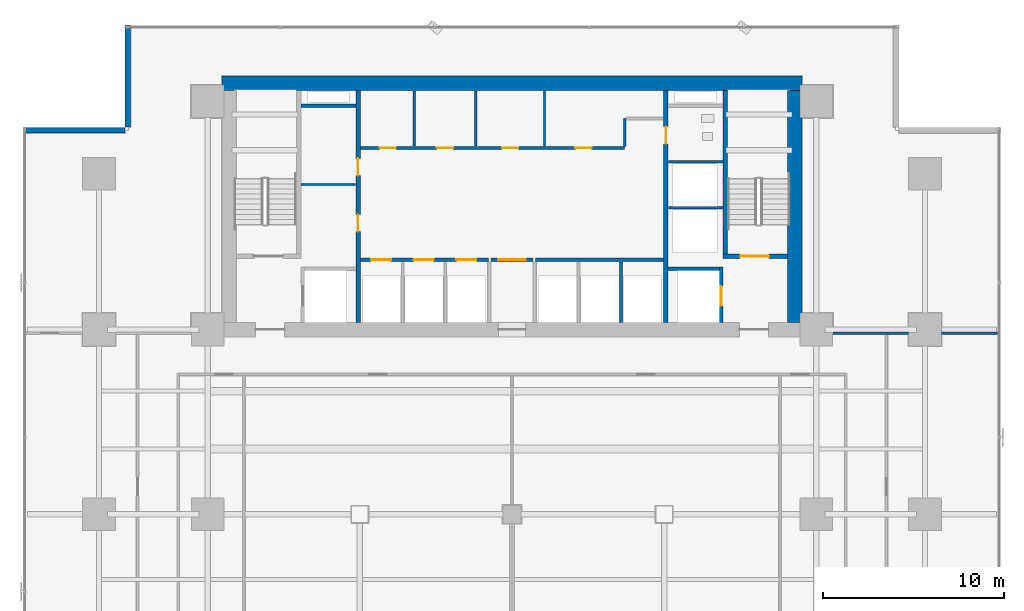
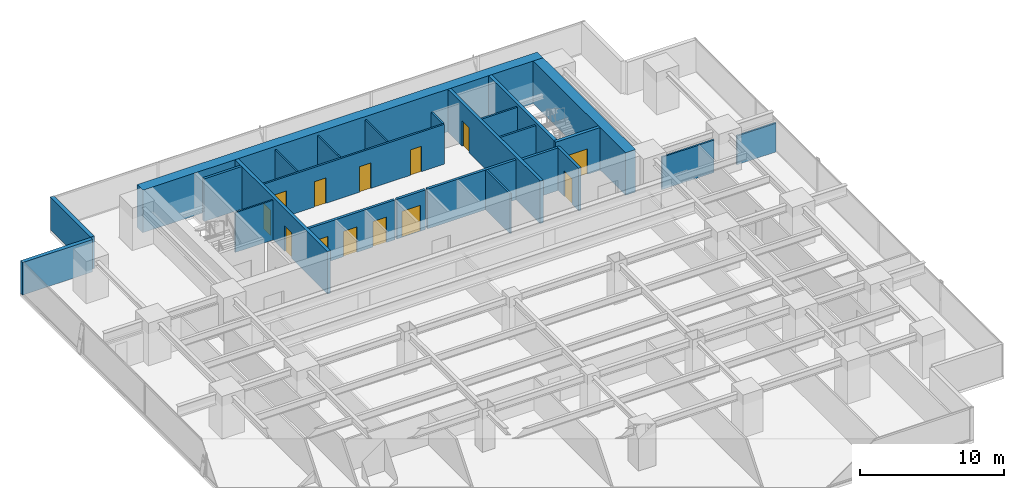
# One storey, part 26 of 33: 25 walls, 13 doors, 13 openings.
"""IFC4 building model written with IfcOpenShell, lengths in metres."""

from ifc_helpers import new_model, si_unit, direction, frame, frame_2d, origin, place, context, subcontext, project, spatial, rectangle, extrude, source, transform, mapped, material, layer, layer_set, type_object, element, fill, save


model = new_model("IFC4")

# Units and contexts
model_context = context("Model", 3, precision=1e-05, world=origin(), true_north=direction((0.0, 1.0)))
body_context = subcontext(model_context, "Body", "Model", "MODEL_VIEW")
ifc_project = project(units=[si_unit("LENGTHUNIT", "METRE"), si_unit("AREAUNIT", "SQUARE_METRE"), si_unit("VOLUMEUNIT", "CUBIC_METRE"), si_unit("PLANEANGLEUNIT", "RADIAN"), si_unit("MASSUNIT", "GRAM", prefix="KILO")], contexts=[model_context])

# Site, building, storey
site_placement = place(None, origin())
site = spatial("IfcSite", under=ifc_project, at=site_placement, CompositionType="ELEMENT")
building_placement = place(site_placement, origin())
building = spatial("IfcBuilding", under=site, at=building_placement, Name="Sumidabori Civic Tower", CompositionType="ELEMENT")
storey_placement = place(building_placement, frame((0.0, 0.0, 38.0)))
storey = spatial("IfcBuildingStorey", under=building, at=storey_placement, Name="L09", CompositionType="ELEMENT", Elevation=38.0)

# Walls
ifc_material_1 = material(Name="Concrete C60/75", Category="concrete")
ifc_layer_1 = layer(ifc_material_1, 0.800048828125, Name="Concrete C60/75")
ifc_layer_set_1 = layer_set([ifc_layer_1], Name="Concrete C60/75")
wall_type_1 = type_object("IfcWallType", Name="WL-CORE-800", PredefinedType="SHEAR", material=ifc_layer_set_1)
shared_shape_1 = source(origin(), body_context, "Body", "SweptSolid", [
    extrude(rectangle(XDim=32.0, YDim=0.800048828125, at=frame_2d((16.0, 0.0))), origin(), (0.0, 0.0, 1.0), 3.60009765625),
])
wall_1_placement = place(storey_placement, frame((-16.0, 23.800048828125, 0.0), z_axis=(0.0, 0.0, 1.0), x_axis=(1.0, 0.0, 0.0)))
element("IfcWall", 1, at=wall_1_placement, inside=storey, type_object=wall_type_1, Name="Core Shear Wall L09 N", PredefinedType="SHEAR", context=body_context, shape_type="MappedRepresentation", body=[
    mapped(shared_shape_1, transform((0.0, 0.0, 0.0), x_axis=(1.0, 0.0, 0.0), y_axis=(0.0, 1.0, 0.0), z_axis=(0.0, 0.0, 1.0), scale=1.0)),
])
shared_shape_2 = source(origin(), body_context, "Body", "SweptSolid", [
    extrude(rectangle(XDim=12.7998046875, YDim=0.800048828125, at=frame_2d((6.39990234375, 0.0))), origin(), (0.0, 0.0, 1.0), 3.60009765625),
])
wall_2_placement = place(storey_placement, frame((15.60009765625, 10.60009765625, 0.0), z_axis=(0.0, 0.0, 1.0), x_axis=(0.0, 1.0, 0.0)))
element("IfcWall", 2, at=wall_2_placement, inside=storey, type_object=wall_type_1, Name="Core Shear Wall L09 E", PredefinedType="SHEAR", context=body_context, shape_type="MappedRepresentation", body=[
    mapped(shared_shape_2, transform((0.0, 0.0, 0.0), x_axis=(1.0, 0.0, 0.0), y_axis=(0.0, 1.0, 0.0), z_axis=(0.0, 0.0, 1.0), scale=1.0)),
])

# Wall, openings, doors
ifc_material_2 = material(Name="Concrete C50/60", Category="concrete")
ifc_layer_2 = layer(ifc_material_2, 0.25, Name="Concrete C50/60")
ifc_layer_set_2 = layer_set([ifc_layer_2], Name="Concrete C50/60")
wall_type_2 = type_object("IfcWallType", Name="WL-SHAFT-250", PredefinedType="SHEAR", material=ifc_layer_set_2)
shared_shape_3 = source(origin(), body_context, "Body", "SweptSolid", [
    extrude(rectangle(XDim=12.7998046875, YDim=0.25, at=frame_2d((6.39990234375, 0.0))), origin(), (0.0, 0.0, 1.0), 3.60009765625),
])
wall_3_placement = place(storey_placement, frame((-8.5, 10.60009765625, 0.0), z_axis=(0.0, 0.0, 1.0), x_axis=(0.0, 1.0, 0.0)))
wall_3 = element("IfcWall", 3, at=wall_3_placement, inside=storey, type_object=wall_type_2, Name="Core Shear Wall L09 WEB-W", PredefinedType="SHEAR", context=body_context, shape_type="MappedRepresentation", body=[
    mapped(shared_shape_3, transform((0.0, 0.0, 0.0), x_axis=(1.0, 0.0, 0.0), y_axis=(0.0, 1.0, 0.0), z_axis=(0.0, 0.0, 1.0), scale=1.0)),
])
opening_1_placement = place(wall_3_placement, frame((5.0, 0.0, 0.0)))
opening_1 = element("IfcOpeningElement", 4, at=opening_1_placement, cuts=wall_3, Name="Opening DR-FD2", PredefinedType="OPENING", context=body_context, shape_type="SweptSolid", body=[
    extrude(rectangle(XDim=0.949951171875, YDim=2.14990234375, at=frame_2d((0.47509765625, 1.074951171875))), frame((0.0, 0.136962890625, 0.0), z_axis=(0.0, -1.0, 0.0), x_axis=(1.0, 0.0, 0.0)), (0.0, 0.0, 1.0), 0.27392578125),
])
opening_2_placement = place(wall_3_placement, frame((8.10009765625, 0.0, 0.0)))
opening_2 = element("IfcOpeningElement", 5, at=opening_2_placement, cuts=wall_3, Name="Opening DR-FD2", PredefinedType="OPENING", context=body_context, shape_type="SweptSolid", body=[
    extrude(rectangle(XDim=0.949951171875, YDim=2.14990234375, at=frame_2d((0.47509765625, 1.074951171875))), frame((0.0, 0.136962890625, 0.0), z_axis=(0.0, -1.0, 0.0), x_axis=(1.0, 0.0, 0.0)), (0.0, 0.0, 1.0), 0.27392578125),
])
ifc_material_3 = material(Name="Steel SN490", Category="steel")
door_type_1 = type_object("IfcDoorType", Name="DR-FD2", OperationType="NOTDEFINED", PredefinedType="DOOR", material=ifc_material_3)
shared_shape_4 = source(origin(), body_context, "Body", "SweptSolid", [
    extrude(rectangle(XDim=0.949951171875, YDim=2.14990234375, at=frame_2d((0.47509765625, 1.074951171875))), frame((0.0, 0.02490234375, 0.0), z_axis=(0.0, -1.0, 0.0), x_axis=(1.0, 0.0, 0.0)), (0.0, 0.0, 1.0), 0.050048828125),
])
door_1_placement = place(opening_1_placement, origin())
door_1 = element("IfcDoor", 6, at=door_1_placement, inside=storey, type_object=door_type_1, Name="Door DR:L09:CW-S1", OperationType="SINGLE_SWING_LEFT", OverallHeight=2.14990234375, OverallWidth=0.949951171875, PredefinedType="DOOR", context=body_context, shape_type="MappedRepresentation", body=[
    mapped(shared_shape_4, transform((0.0, 0.0, 0.0), x_axis=(1.0, 0.0, 0.0), y_axis=(0.0, 1.0, 0.0), z_axis=(0.0, 0.0, 1.0), scale=1.0)),
])
fill(opening_1, door_1)
door_2_placement = place(opening_2_placement, origin())
door_2 = element("IfcDoor", 7, at=door_2_placement, inside=storey, type_object=door_type_1, Name="Door DR:L09:CW-S2", OperationType="SINGLE_SWING_RIGHT", OverallHeight=2.14990234375, OverallWidth=0.949951171875, PredefinedType="DOOR", context=body_context, shape_type="MappedRepresentation", body=[
    mapped(shared_shape_4, transform((0.0, 0.0, 0.0), x_axis=(1.0, 0.0, 0.0), y_axis=(0.0, 1.0, 0.0), z_axis=(0.0, 0.0, 1.0), scale=1.0)),
])
fill(opening_2, door_2)

# Wall, opening, door
wall_4_placement = place(storey_placement, frame((8.5, 10.60009765625, 0.0), z_axis=(0.0, 0.0, 1.0), x_axis=(0.0, 1.0, 0.0)))
wall_4 = element("IfcWall", 8, at=wall_4_placement, inside=storey, type_object=wall_type_2, Name="Core Shear Wall L09 WEB-E", PredefinedType="SHEAR", context=body_context, shape_type="MappedRepresentation", body=[
    mapped(shared_shape_3, transform((0.0, 0.0, 0.0), x_axis=(1.0, 0.0, 0.0), y_axis=(0.0, 1.0, 0.0), z_axis=(0.0, 0.0, 1.0), scale=1.0)),
])
opening_3_placement = place(wall_4_placement, frame((9.85009765625, 0.0, 0.0)))
opening_3 = element("IfcOpeningElement", 9, at=opening_3_placement, cuts=wall_4, Name="Opening DR-2", PredefinedType="OPENING", context=body_context, shape_type="SweptSolid", body=[
    extrude(rectangle(XDim=0.949951171875, YDim=2.14990234375, at=frame_2d((0.47509765625, 1.074951171875))), frame((0.0, 0.136962890625, 0.0), z_axis=(0.0, -1.0, 0.0), x_axis=(1.0, 0.0, 0.0)), (0.0, 0.0, 1.0), 0.27392578125),
])
ifc_material_4 = material(Name="Japanese Hinoki Timber", Category="wood")
door_type_2 = type_object("IfcDoorType", Name="DR-INT-950", OperationType="NOTDEFINED", PredefinedType="DOOR", material=ifc_material_4)
shared_shape_5 = source(origin(), body_context, "Body", "SweptSolid", [
    extrude(rectangle(XDim=0.949951171875, YDim=2.14990234375, at=frame_2d((0.47509765625, 1.074951171875))), frame((0.0, 0.02490234375, 0.0), z_axis=(0.0, -1.0, 0.0), x_axis=(1.0, 0.0, 0.0)), (0.0, 0.0, 1.0), 0.050048828125),
])
door_3_placement = place(opening_3_placement, origin())
door_3 = element("IfcDoor", 10, at=door_3_placement, inside=storey, type_object=door_type_2, Name="Door DR:L09:WC-ACC", OperationType="SINGLE_SWING_RIGHT", OverallHeight=2.14990234375, OverallWidth=0.949951171875, PredefinedType="DOOR", context=body_context, shape_type="MappedRepresentation", body=[
    mapped(shared_shape_5, transform((0.0, 0.0, 0.0), x_axis=(1.0, 0.0, 0.0), y_axis=(0.0, 1.0, 0.0), z_axis=(0.0, 0.0, 1.0), scale=1.0)),
])
fill(opening_3, door_3)

shared_shape_6 = source(origin(), body_context, "Body", "SweptSolid", [
    extrude(rectangle(XDim=3.554931640625, YDim=0.25, at=frame_2d((1.77734375, 0.0))), origin(), (0.0, 0.0, 1.0), 3.60009765625),
])
wall_5_placement = place(storey_placement, frame((11.64501953125, 14.25, 0.0), z_axis=(0.0, 0.0, 1.0), x_axis=(1.0, 0.0, 0.0)))
wall_5 = element("IfcWall", 11, at=wall_5_placement, inside=storey, type_object=wall_type_2, Name="Core Shear Wall L09 ST2-S", PredefinedType="SHEAR", context=body_context, shape_type="MappedRepresentation", body=[
    mapped(shared_shape_6, transform((0.0, 0.0, 0.0), x_axis=(1.0, 0.0, 0.0), y_axis=(0.0, 1.0, 0.0), z_axis=(0.0, 0.0, 1.0), scale=1.0)),
])
opening_4_placement = place(wall_5_placement, frame((0.949951171875, 0.0, 0.0)))
opening_4 = element("IfcOpeningElement", 12, at=opening_4_placement, cuts=wall_5, Name="Opening DR-FD4", PredefinedType="OPENING", context=body_context, shape_type="SweptSolid", body=[
    extrude(rectangle(XDim=1.60009765625, YDim=2.14990234375, at=frame_2d((0.800048828125, 1.074951171875))), frame((0.0, 0.136962890625, 0.0), z_axis=(0.0, -1.0, 0.0), x_axis=(1.0, 0.0, 0.0)), (0.0, 0.0, 1.0), 0.27392578125),
])
door_type_3 = type_object("IfcDoorType", Name="DR-FD4", OperationType="DOUBLE_DOOR_SINGLE_SWING", PredefinedType="DOOR", material=ifc_material_3)
shared_shape_7 = source(origin(), body_context, "Body", "SweptSolid", [
    extrude(rectangle(XDim=1.60009765625, YDim=2.14990234375, at=frame_2d((0.800048828125, 1.074951171875))), frame((0.0, 0.02490234375, 0.0), z_axis=(0.0, -1.0, 0.0), x_axis=(1.0, 0.0, 0.0)), (0.0, 0.0, 1.0), 0.050048828125),
])
door_4_placement = place(opening_4_placement, origin())
door_4 = element("IfcDoor", 13, at=door_4_placement, inside=storey, type_object=door_type_3, Name="Door DR:L09:ST2", OperationType="DOUBLE_DOOR_SINGLE_SWING", OverallHeight=2.14990234375, OverallWidth=1.60009765625, PredefinedType="DOOR", context=body_context, shape_type="MappedRepresentation", body=[
    mapped(shared_shape_7, transform((0.0, 0.0, 0.0), x_axis=(1.0, 0.0, 0.0), y_axis=(0.0, 1.0, 0.0), z_axis=(0.0, 0.0, 1.0), scale=1.0)),
])
fill(opening_4, door_4)

# Wall
shared_shape_8 = source(origin(), body_context, "Body", "SweptSolid", [
    extrude(rectangle(XDim=9.02490234375, YDim=0.25, at=frame_2d((4.512451171875, 0.0))), origin(), (0.0, 0.0, 1.0), 3.60009765625),
])
wall_6_placement = place(storey_placement, frame((11.77001953125, 14.375, 0.0), z_axis=(0.0, 0.0, 1.0), x_axis=(0.0, 1.0, 0.0)))
element("IfcWall", 14, at=wall_6_placement, inside=storey, type_object=wall_type_2, Name="Core Shear Wall L09 ST2-W", PredefinedType="SHEAR", context=body_context, shape_type="MappedRepresentation", body=[
    mapped(shared_shape_8, transform((0.0, 0.0, 0.0), x_axis=(1.0, 0.0, 0.0), y_axis=(0.0, 1.0, 0.0), z_axis=(0.0, 0.0, 1.0), scale=1.0)),
])

# Wall, opening, door
ifc_layer_3 = layer(ifc_material_2, 0.199951171875, Name="Concrete C50/60")
ifc_layer_set_3 = layer_set([ifc_layer_3], Name="Concrete C50/60")
wall_type_3 = type_object("IfcWallType", Name="WL-SHAFT-200", PredefinedType="SHEAR", material=ifc_layer_set_3)
shared_shape_9 = source(origin(), body_context, "Body", "SweptSolid", [
    extrude(rectangle(XDim=3.0498046875, YDim=0.199951171875, at=frame_2d((1.52490234375, 0.0))), origin(), (0.0, 0.0, 1.0), 3.60009765625),
])
wall_7_placement = place(storey_placement, frame((11.550048828125, 10.60009765625, 0.0), z_axis=(0.0, 0.0, 1.0), x_axis=(0.0, 1.0, 0.0)))
wall_7 = element("IfcWall", 15, at=wall_7_placement, inside=storey, type_object=wall_type_3, Name="Core Shear Wall L09 EL2-E", PredefinedType="SHEAR", context=body_context, shape_type="MappedRepresentation", body=[
    mapped(shared_shape_9, transform((0.0, 0.0, 0.0), x_axis=(1.0, 0.0, 0.0), y_axis=(0.0, 1.0, 0.0), z_axis=(0.0, 0.0, 1.0), scale=1.0)),
])
opening_5_placement = place(wall_7_placement, frame((0.89990234375, 0.0, 0.0)))
opening_5 = element("IfcOpeningElement", 16, at=opening_5_placement, cuts=wall_7, Name="Opening LD-2", PredefinedType="OPENING", context=body_context, shape_type="SweptSolid", body=[
    extrude(rectangle(XDim=1.10009765625, YDim=2.14990234375, at=frame_2d((0.550048828125, 1.074951171875))), frame((0.0, 0.11181640625, 0.0), z_axis=(0.0, -1.0, 0.0), x_axis=(1.0, 0.0, 0.0)), (0.0, 0.0, 1.0), 0.223876953125),
])
ifc_material_5 = material(Name="Stainless Steel Hairline Finish", Category="steel")
door_type_4 = type_object("IfcDoorType", Name="DR-LD2", OperationType="DOUBLE_DOOR_SLIDING", PredefinedType="DOOR", material=ifc_material_5)
shared_shape_10 = source(origin(), body_context, "Body", "SweptSolid", [
    extrude(rectangle(XDim=1.10009765625, YDim=2.14990234375, at=frame_2d((0.550048828125, 1.074951171875))), frame((0.0, 0.02490234375, 0.0), z_axis=(0.0, -1.0, 0.0), x_axis=(1.0, 0.0, 0.0)), (0.0, 0.0, 1.0), 0.050048828125),
])
door_5_placement = place(opening_5_placement, origin())
door_5 = element("IfcDoor", 17, at=door_5_placement, inside=storey, type_object=door_type_4, Name="Door DR:L09:LD-EL2", OperationType="DOUBLE_DOOR_SLIDING", OverallHeight=2.14990234375, OverallWidth=1.10009765625, PredefinedType="DOOR", context=body_context, shape_type="MappedRepresentation", body=[
    mapped(shared_shape_10, transform((0.0, 0.0, 0.0), x_axis=(1.0, 0.0, 0.0), y_axis=(0.0, 1.0, 0.0), z_axis=(0.0, 0.0, 1.0), scale=1.0)),
])
fill(opening_5, door_5)

# Walls
shared_shape_11 = source(origin(), body_context, "Body", "SweptSolid", [
    extrude(rectangle(XDim=2.824951171875, YDim=0.199951171875, at=frame_2d((1.41259765625, 0.0))), origin(), (0.0, 0.0, 1.0), 3.60009765625),
])
wall_8_placement = place(storey_placement, frame((8.625, 13.550048828125, 0.0), z_axis=(0.0, 0.0, 1.0), x_axis=(1.0, 0.0, 0.0)))
element("IfcWall", 18, at=wall_8_placement, inside=storey, type_object=wall_type_3, Name="Core Shear Wall L09 EL2-N", PredefinedType="SHEAR", context=body_context, shape_type="MappedRepresentation", body=[
    mapped(shared_shape_11, transform((0.0, 0.0, 0.0), x_axis=(1.0, 0.0, 0.0), y_axis=(0.0, 1.0, 0.0), z_axis=(0.0, 0.0, 1.0), scale=1.0)),
])
shared_shape_12 = source(origin(), body_context, "Body", "SweptSolid", [
    extrude(rectangle(XDim=3.02001953125, YDim=0.199951171875, at=frame_2d((1.510009765625, 0.0))), origin(), (0.0, 0.0, 1.0), 3.60009765625),
])
wall_9_placement = place(storey_placement, frame((-11.64501953125, 22.550048828125, 0.0), z_axis=(0.0, 0.0, 1.0), x_axis=(1.0, 0.0, 0.0)))
element("IfcWall", 19, at=wall_9_placement, inside=storey, type_object=wall_type_3, Name="Core Shear Wall L09 RIS1-S", PredefinedType="SHEAR", context=body_context, shape_type="MappedRepresentation", body=[
    mapped(shared_shape_12, transform((0.0, 0.0, 0.0), x_axis=(1.0, 0.0, 0.0), y_axis=(0.0, 1.0, 0.0), z_axis=(0.0, 0.0, 1.0), scale=1.0)),
])
ifc_material_6 = material(Name="Precast concrete C40/50", Category="concrete")
ifc_layer_4 = layer(ifc_material_6, 0.300048828125, Name="Precast concrete C40/50")
ifc_layer_set_4 = layer_set([ifc_layer_4], Name="Precast concrete C40/50")
wall_type_4 = type_object("IfcWallType", Name="WL-EXT-POD300", PredefinedType="STANDARD", material=ifc_layer_set_4)
shared_shape_13 = source(origin(), body_context, "Body", "SweptSolid", [
    extrude(rectangle(XDim=5.60986328125, YDim=0.300048828125, at=frame_2d((2.804931640625, 0.0))), origin(), (0.0, 0.0, 1.0), 2.739990234375),
])
for number, where, z_axis, x_axis, name in (
    (20, (-21.199951171875, 26.97998046875, 0.0), (0.0, 0.0, 1.0), (0.0, -1.0, 0.0), "Notched Corner Spandrel Band L09-08"),
    (21, (-21.3701171875, 21.199951171875, 0.0), (0.0, 0.0, 1.0), (-1.0, 0.0, 0.0), "Notched Corner Spandrel Band L09-09"),
):
    element("IfcWall", number, at=place(storey_placement, frame(where, z_axis=z_axis, x_axis=x_axis)), inside=storey, type_object=wall_type_4, Name=name, PredefinedType="STANDARD", context=body_context, shape_type="MappedRepresentation", body=[
        mapped(shared_shape_13, transform((0.0, 0.0, 0.0), x_axis=(1.0, 0.0, 0.0), y_axis=(0.0, 1.0, 0.0), z_axis=(0.0, 0.0, 1.0), scale=1.0)),
    ])
ifc_material_7 = material(Name="Gypsum Plasterboard Acoustic Partition")
ifc_layer_5 = layer(ifc_material_7, 0.14990234375, Name="Gypsum Plasterboard Acoustic Partition")
ifc_layer_set_5 = layer_set([ifc_layer_5], Name="Gypsum Plasterboard Acoustic Partition")
wall_type_5 = type_object("IfcWallType", Name="WL-PART-150", PredefinedType="PARTITIONING", material=ifc_layer_set_5)
shared_shape_14 = source(origin(), body_context, "Body", "SweptSolid", [
    extrude(rectangle(XDim=3.010009765625, YDim=0.14990234375, at=frame_2d((1.5048828125, 0.0))), origin(), (0.0, 0.0, 1.0), 3.360107421875),
])
for number, where, z_axis, x_axis, name in (
    (22, (8.6298828125, 16.919921875, 0.0), (0.0, 0.0, 1.0), (1.0, 0.0, 0.0), "Interior Partition WL:L09:DIV-OBS1"),
    (23, (8.6298828125, 19.469970703125, 0.0), (0.0, 0.0, 1.0), (1.0, 0.0, 0.0), "Interior Partition WL:L09:DIV-OBS2"),
):
    element("IfcWall", number, at=place(storey_placement, frame(where, z_axis=z_axis, x_axis=x_axis)), inside=storey, type_object=wall_type_5, Name=name, PredefinedType="PARTITIONING", context=body_context, shape_type="MappedRepresentation", body=[
        mapped(shared_shape_14, transform((0.0, 0.0, 0.0), x_axis=(1.0, 0.0, 0.0), y_axis=(0.0, 1.0, 0.0), z_axis=(0.0, 0.0, 1.0), scale=1.0)),
    ])

# Wall, openings, doors
ifc_material_8 = material(Name="Gypsum Plasterboard Fire Partition")
ifc_layer_6 = layer(ifc_material_8, 0.199951171875, Name="Gypsum Plasterboard Fire Partition")
ifc_layer_set_6 = layer_set([ifc_layer_6], Name="Gypsum Plasterboard Fire Partition")
wall_type_6 = type_object("IfcWallType", Name="WL-PART-FIRE", PredefinedType="PARTITIONING", material=ifc_layer_set_6)
shared_shape_15 = source(origin(), body_context, "Body", "SweptSolid", [
    extrude(rectangle(XDim=7.070068359375, YDim=0.199951171875, at=frame_2d((3.53515625, 0.0))), origin(), (0.0, 0.0, 1.0), 3.360107421875),
])
wall_10_placement = place(storey_placement, frame((-8.3701171875, 14.050048828125, 0.0), z_axis=(0.0, 0.0, 1.0), x_axis=(1.0, 0.0, 0.0)))
wall_10 = element("IfcWall", 24, at=wall_10_placement, inside=storey, type_object=wall_type_6, Name="Interior Partition WL:L09:CBAND-SW", PredefinedType="PARTITIONING", context=body_context, shape_type="MappedRepresentation", body=[
    mapped(shared_shape_15, transform((0.0, 0.0, 0.0), x_axis=(1.0, 0.0, 0.0), y_axis=(0.0, 1.0, 0.0), z_axis=(0.0, 0.0, 1.0), scale=1.0)),
])
opening_6_placement = place(wall_10_placement, frame((0.60009765625, 0.0, 0.0)))
opening_6 = element("IfcOpeningElement", 25, at=opening_6_placement, cuts=wall_10, Name="Opening LD-1", PredefinedType="OPENING", context=body_context, shape_type="SweptSolid", body=[
    extrude(rectangle(XDim=1.10009765625, YDim=2.14990234375, at=frame_2d((0.550048828125, 1.074951171875))), frame((0.0, 0.11181640625, 0.0), z_axis=(0.0, -1.0, 0.0), x_axis=(1.0, 0.0, 0.0)), (0.0, 0.0, 1.0), 0.223876953125),
])
opening_7_placement = place(wall_10_placement, frame((2.949951171875, 0.0, 0.0)))
opening_7 = element("IfcOpeningElement", 26, at=opening_7_placement, cuts=wall_10, Name="Opening LD-1", PredefinedType="OPENING", context=body_context, shape_type="SweptSolid", body=[
    extrude(rectangle(XDim=1.10009765625, YDim=2.14990234375, at=frame_2d((0.550048828125, 1.074951171875))), frame((0.0, 0.11181640625, 0.0), z_axis=(0.0, -1.0, 0.0), x_axis=(1.0, 0.0, 0.0)), (0.0, 0.0, 1.0), 0.223876953125),
])
opening_8_placement = place(wall_10_placement, frame((5.300048828125, 0.0, 0.0)))
opening_8 = element("IfcOpeningElement", 27, at=opening_8_placement, cuts=wall_10, Name="Opening LD-1", PredefinedType="OPENING", context=body_context, shape_type="SweptSolid", body=[
    extrude(rectangle(XDim=1.10009765625, YDim=2.14990234375, at=frame_2d((0.550048828125, 1.074951171875))), frame((0.0, 0.11181640625, 0.0), z_axis=(0.0, -1.0, 0.0), x_axis=(1.0, 0.0, 0.0)), (0.0, 0.0, 1.0), 0.223876953125),
])
door_type_5 = type_object("IfcDoorType", Name="DR-LD1", OperationType="DOUBLE_DOOR_SLIDING", PredefinedType="DOOR", material=ifc_material_5)
door_6_placement = place(opening_6_placement, origin())
door_6 = element("IfcDoor", 28, at=door_6_placement, inside=storey, type_object=door_type_5, Name="Door DR:L09:LD-PLL1", OperationType="DOUBLE_DOOR_SLIDING", OverallHeight=2.14990234375, OverallWidth=1.10009765625, PredefinedType="DOOR", context=body_context, shape_type="MappedRepresentation", body=[
    mapped(shared_shape_10, transform((0.0, 0.0, 0.0), x_axis=(1.0, 0.0, 0.0), y_axis=(0.0, 1.0, 0.0), z_axis=(0.0, 0.0, 1.0), scale=1.0)),
])
fill(opening_6, door_6)
door_7_placement = place(opening_7_placement, origin())
door_7 = element("IfcDoor", 29, at=door_7_placement, inside=storey, type_object=door_type_5, Name="Door DR:L09:LD-PLL2", OperationType="DOUBLE_DOOR_SLIDING", OverallHeight=2.14990234375, OverallWidth=1.10009765625, PredefinedType="DOOR", context=body_context, shape_type="MappedRepresentation", body=[
    mapped(shared_shape_10, transform((0.0, 0.0, 0.0), x_axis=(1.0, 0.0, 0.0), y_axis=(0.0, 1.0, 0.0), z_axis=(0.0, 0.0, 1.0), scale=1.0)),
])
fill(opening_7, door_7)
door_8_placement = place(opening_8_placement, origin())
door_8 = element("IfcDoor", 30, at=door_8_placement, inside=storey, type_object=door_type_5, Name="Door DR:L09:LD-PLL3", OperationType="DOUBLE_DOOR_SLIDING", OverallHeight=2.14990234375, OverallWidth=1.10009765625, PredefinedType="DOOR", context=body_context, shape_type="MappedRepresentation", body=[
    mapped(shared_shape_10, transform((0.0, 0.0, 0.0), x_axis=(1.0, 0.0, 0.0), y_axis=(0.0, 1.0, 0.0), z_axis=(0.0, 0.0, 1.0), scale=1.0)),
])
fill(opening_8, door_8)

# Wall
wall_11_placement = place(storey_placement, frame((1.300048828125, 14.050048828125, 0.0), z_axis=(0.0, 0.0, 1.0), x_axis=(1.0, 0.0, 0.0)))
element("IfcWall", 31, at=wall_11_placement, inside=storey, type_object=wall_type_6, Name="Interior Partition WL:L09:CBAND-SE", PredefinedType="PARTITIONING", context=body_context, shape_type="MappedRepresentation", body=[
    mapped(shared_shape_15, transform((0.0, 0.0, 0.0), x_axis=(1.0, 0.0, 0.0), y_axis=(0.0, 1.0, 0.0), z_axis=(0.0, 0.0, 1.0), scale=1.0)),
])

# Wall, opening, door
shared_shape_16 = source(origin(), body_context, "Body", "SweptSolid", [
    extrude(rectangle(XDim=2.2998046875, YDim=0.199951171875, at=frame_2d((1.14990234375, 0.0))), origin(), (0.0, 0.0, 1.0), 3.360107421875),
])
wall_12_placement = place(storey_placement, frame((-1.14990234375, 14.050048828125, 0.0), z_axis=(0.0, 0.0, 1.0), x_axis=(1.0, 0.0, 0.0)))
wall_12 = element("IfcWall", 32, at=wall_12_placement, inside=storey, type_object=wall_type_6, Name="Interior Partition WL:L09:THROAT-N", PredefinedType="PARTITIONING", context=body_context, shape_type="MappedRepresentation", body=[
    mapped(shared_shape_16, transform((0.0, 0.0, 0.0), x_axis=(1.0, 0.0, 0.0), y_axis=(0.0, 1.0, 0.0), z_axis=(0.0, 0.0, 1.0), scale=1.0)),
])
opening_9_placement = place(wall_12_placement, frame((0.39990234375, 0.0, 0.0)))
opening_9 = element("IfcOpeningElement", 33, at=opening_9_placement, cuts=wall_12, Name="Opening DR-FD3", PredefinedType="OPENING", context=body_context, shape_type="SweptSolid", body=[
    extrude(rectangle(XDim=1.5, YDim=2.199951171875, at=frame_2d((0.75, 1.10009765625))), frame((0.0, 0.11181640625, 0.0), z_axis=(0.0, -1.0, 0.0), x_axis=(1.0, 0.0, 0.0)), (0.0, 0.0, 1.0), 0.223876953125),
])
door_type_6 = type_object("IfcDoorType", Name="DR-FD-DBL", OperationType="DOUBLE_DOOR_SINGLE_SWING", PredefinedType="DOOR", material=ifc_material_3)
shared_shape_17 = source(origin(), body_context, "Body", "SweptSolid", [
    extrude(rectangle(XDim=1.5, YDim=2.199951171875, at=frame_2d((0.75, 1.10009765625))), frame((0.0, 0.02490234375, 0.0), z_axis=(0.0, -1.0, 0.0), x_axis=(1.0, 0.0, 0.0)), (0.0, 0.0, 1.0), 0.050048828125),
])
door_9_placement = place(opening_9_placement, origin())
door_9 = element("IfcDoor", 34, at=door_9_placement, inside=storey, type_object=door_type_6, Name="Door DR:L09:THROAT-IN", OperationType="DOUBLE_DOOR_SINGLE_SWING", OverallHeight=2.199951171875, OverallWidth=1.5, PredefinedType="DOOR", context=body_context, shape_type="MappedRepresentation", body=[
    mapped(shared_shape_17, transform((0.0, 0.0, 0.0), x_axis=(1.0, 0.0, 0.0), y_axis=(0.0, 1.0, 0.0), z_axis=(0.0, 0.0, 1.0), scale=1.0)),
])
fill(opening_9, door_9)

# Wall, openings, doors
shared_shape_18 = source(origin(), body_context, "Body", "SweptSolid", [
    extrude(rectangle(XDim=14.590087890625, YDim=0.14990234375, at=frame_2d((7.294921875, 0.0))), origin(), (0.0, 0.0, 1.0), 3.360107421875),
])
wall_13_placement = place(storey_placement, frame((-8.3701171875, 20.219970703125, 0.0), z_axis=(0.0, 0.0, 1.0), x_axis=(1.0, 0.0, 0.0)))
wall_13 = element("IfcWall", 35, at=wall_13_placement, inside=storey, type_object=wall_type_5, Name="Interior Partition WL:L09:CBAND-M", PredefinedType="PARTITIONING", context=body_context, shape_type="MappedRepresentation", body=[
    mapped(shared_shape_18, transform((0.0, 0.0, 0.0), x_axis=(1.0, 0.0, 0.0), y_axis=(0.0, 1.0, 0.0), z_axis=(0.0, 0.0, 1.0), scale=1.0)),
])
opening_10_placement = place(wall_13_placement, frame((1.06005859375, 0.0, 0.0)))
opening_10 = element("IfcOpeningElement", 36, at=opening_10_placement, cuts=wall_13, Name="Opening DR-1", PredefinedType="OPENING", context=body_context, shape_type="SweptSolid", body=[
    extrude(rectangle(XDim=0.89990234375, YDim=2.14990234375, at=frame_2d((0.449951171875, 1.074951171875))), frame((0.0, 0.0869140625, 0.0), z_axis=(0.0, -1.0, 0.0), x_axis=(1.0, 0.0, 0.0)), (0.0, 0.0, 1.0), 0.173828125),
])
opening_11_placement = place(wall_13_placement, frame((4.219970703125, 0.0, 0.0)))
opening_11 = element("IfcOpeningElement", 37, at=opening_11_placement, cuts=wall_13, Name="Opening DR-1", PredefinedType="OPENING", context=body_context, shape_type="SweptSolid", body=[
    extrude(rectangle(XDim=0.89990234375, YDim=2.14990234375, at=frame_2d((0.449951171875, 1.074951171875))), frame((0.0, 0.0869140625, 0.0), z_axis=(0.0, -1.0, 0.0), x_axis=(1.0, 0.0, 0.0)), (0.0, 0.0, 1.0), 0.173828125),
])
opening_12_placement = place(wall_13_placement, frame((7.820068359375, 0.0, 0.0)))
opening_12 = element("IfcOpeningElement", 38, at=opening_12_placement, cuts=wall_13, Name="Opening DR-1", PredefinedType="OPENING", context=body_context, shape_type="SweptSolid", body=[
    extrude(rectangle(XDim=0.89990234375, YDim=2.14990234375, at=frame_2d((0.449951171875, 1.074951171875))), frame((0.0, 0.0869140625, 0.0), z_axis=(0.0, -1.0, 0.0), x_axis=(1.0, 0.0, 0.0)), (0.0, 0.0, 1.0), 0.173828125),
])
opening_13_placement = place(wall_13_placement, frame((11.8701171875, 0.0, 0.0)))
opening_13 = element("IfcOpeningElement", 39, at=opening_13_placement, cuts=wall_13, Name="Opening DR-1", PredefinedType="OPENING", context=body_context, shape_type="SweptSolid", body=[
    extrude(rectangle(XDim=0.89990234375, YDim=2.14990234375, at=frame_2d((0.449951171875, 1.074951171875))), frame((0.0, 0.0869140625, 0.0), z_axis=(0.0, -1.0, 0.0), x_axis=(1.0, 0.0, 0.0)), (0.0, 0.0, 1.0), 0.173828125),
])
door_type_7 = type_object("IfcDoorType", Name="DR-INT-900", OperationType="NOTDEFINED", PredefinedType="DOOR", material=ifc_material_4)
shared_shape_19 = source(origin(), body_context, "Body", "SweptSolid", [
    extrude(rectangle(XDim=0.89990234375, YDim=2.14990234375, at=frame_2d((0.449951171875, 1.074951171875))), frame((0.0, 0.02490234375, 0.0), z_axis=(0.0, -1.0, 0.0), x_axis=(1.0, 0.0, 0.0)), (0.0, 0.0, 1.0), 0.050048828125),
])
door_10_placement = place(opening_10_placement, origin())
door_10 = element("IfcDoor", 40, at=door_10_placement, inside=storey, type_object=door_type_7, Name="Door DR:L09:CB-1", OperationType="SINGLE_SWING_LEFT", OverallHeight=2.14990234375, OverallWidth=0.89990234375, PredefinedType="DOOR", context=body_context, shape_type="MappedRepresentation", body=[
    mapped(shared_shape_19, transform((0.0, 0.0, 0.0), x_axis=(1.0, 0.0, 0.0), y_axis=(0.0, 1.0, 0.0), z_axis=(0.0, 0.0, 1.0), scale=1.0)),
])
fill(opening_10, door_10)
door_11_placement = place(opening_11_placement, origin())
door_11 = element("IfcDoor", 41, at=door_11_placement, inside=storey, type_object=door_type_7, Name="Door DR:L09:CB-2", OperationType="SINGLE_SWING_RIGHT", OverallHeight=2.14990234375, OverallWidth=0.89990234375, PredefinedType="DOOR", context=body_context, shape_type="MappedRepresentation", body=[
    mapped(shared_shape_19, transform((0.0, 0.0, 0.0), x_axis=(1.0, 0.0, 0.0), y_axis=(0.0, 1.0, 0.0), z_axis=(0.0, 0.0, 1.0), scale=1.0)),
])
fill(opening_11, door_11)
door_12_placement = place(opening_12_placement, origin())
door_12 = element("IfcDoor", 42, at=door_12_placement, inside=storey, type_object=door_type_7, Name="Door DR:L09:CB-3", OperationType="SINGLE_SWING_LEFT", OverallHeight=2.14990234375, OverallWidth=0.89990234375, PredefinedType="DOOR", context=body_context, shape_type="MappedRepresentation", body=[
    mapped(shared_shape_19, transform((0.0, 0.0, 0.0), x_axis=(1.0, 0.0, 0.0), y_axis=(0.0, 1.0, 0.0), z_axis=(0.0, 0.0, 1.0), scale=1.0)),
])
fill(opening_12, door_12)
door_13_placement = place(opening_13_placement, origin())
door_13 = element("IfcDoor", 43, at=door_13_placement, inside=storey, type_object=door_type_7, Name="Door DR:L09:CB-4", OperationType="SINGLE_SWING_RIGHT", OverallHeight=2.14990234375, OverallWidth=0.89990234375, PredefinedType="DOOR", context=body_context, shape_type="MappedRepresentation", body=[
    mapped(shared_shape_19, transform((0.0, 0.0, 0.0), x_axis=(1.0, 0.0, 0.0), y_axis=(0.0, 1.0, 0.0), z_axis=(0.0, 0.0, 1.0), scale=1.0)),
])
fill(opening_13, door_13)

# Walls
shared_shape_20 = source(origin(), body_context, "Body", "SweptSolid", [
    extrude(rectangle(XDim=1.550048828125, YDim=0.14990234375, at=frame_2d((0.77490234375, 0.0))), origin(), (0.0, 0.0, 1.0), 3.360107421875),
])
wall_14_placement = place(storey_placement, frame((6.219970703125, 20.300048828125, 0.0), z_axis=(0.0, 0.0, 1.0), x_axis=(0.0, 1.0, 0.0)))
element("IfcWall", 44, at=wall_14_placement, inside=storey, type_object=wall_type_5, Name="Interior Partition WL:L09:CBAND-ME1", PredefinedType="PARTITIONING", context=body_context, shape_type="MappedRepresentation", body=[
    mapped(shared_shape_20, transform((0.0, 0.0, 0.0), x_axis=(1.0, 0.0, 0.0), y_axis=(0.0, 1.0, 0.0), z_axis=(0.0, 0.0, 1.0), scale=1.0)),
])
shared_shape_21 = source(origin(), body_context, "Body", "SweptSolid", [
    extrude(rectangle(XDim=3.33984375, YDim=0.14990234375, at=frame_2d((1.669921875, 0.0))), origin(), (0.0, 0.0, 1.0), 3.360107421875),
])
wall_15_placement = place(storey_placement, frame((6.02001953125, 10.60009765625, 0.0), z_axis=(0.0, 0.0, 1.0), x_axis=(0.0, 1.0, 0.0)))
element("IfcWall", 45, at=wall_15_placement, inside=storey, type_object=wall_type_5, Name="Interior Partition WL:L09:DIV-PLM2", PredefinedType="PARTITIONING", context=body_context, shape_type="MappedRepresentation", body=[
    mapped(shared_shape_21, transform((0.0, 0.0, 0.0), x_axis=(1.0, 0.0, 0.0), y_axis=(0.0, 1.0, 0.0), z_axis=(0.0, 0.0, 1.0), scale=1.0)),
])
ifc_layer_7 = layer(ifc_material_7, 0.1201171875, Name="Gypsum Plasterboard Acoustic Partition")
ifc_layer_set_7 = layer_set([ifc_layer_7], Name="Gypsum Plasterboard Acoustic Partition")
wall_type_7 = type_object("IfcWallType", Name="WL-PART-120", PredefinedType="PARTITIONING", material=ifc_layer_set_7)
shared_shape_22 = source(origin(), body_context, "Body", "SweptSolid", [
    extrude(rectangle(XDim=3.0400390625, YDim=0.1201171875, at=frame_2d((1.52001953125, 0.0))), origin(), (0.0, 0.0, 1.0), 3.360107421875),
])
for number, where, z_axis, x_axis, name in (
    (46, (-5.39990234375, 20.320068359375, 0.0), (0.0, 0.0, 1.0), (0.0, 1.0, 0.0), "Interior Partition WL:L09:LV8-S1"),
    (47, (-2.0, 20.320068359375, 0.0), (0.0, 0.0, 1.0), (0.0, 1.0, 0.0), "Interior Partition WL:L09:LV8-S2"),
    (48, (1.800048828125, 20.320068359375, 0.0), (0.0, 0.0, 1.0), (0.0, 1.0, 0.0), "Interior Partition WL:L09:LV8-S3"),
):
    element("IfcWall", number, at=place(storey_placement, frame(where, z_axis=z_axis, x_axis=x_axis)), inside=storey, type_object=wall_type_7, Name=name, PredefinedType="PARTITIONING", context=body_context, shape_type="MappedRepresentation", body=[
        mapped(shared_shape_22, transform((0.0, 0.0, 0.0), x_axis=(1.0, 0.0, 0.0), y_axis=(0.0, 1.0, 0.0), z_axis=(0.0, 0.0, 1.0), scale=1.0)),
    ])
shared_shape_23 = source(origin(), body_context, "Body", "SweptSolid", [
    extrude(rectangle(XDim=3.010009765625, YDim=0.1201171875, at=frame_2d((1.5048828125, 0.0))), origin(), (0.0, 0.0, 1.0), 3.360107421875),
])
wall_16_placement = place(storey_placement, frame((-11.639892578125, 18.199951171875, 0.0), z_axis=(0.0, 0.0, 1.0), x_axis=(1.0, 0.0, 0.0)))
element("IfcWall", 49, at=wall_16_placement, inside=storey, type_object=wall_type_7, Name="Interior Partition WL:L09:CW-MID", PredefinedType="PARTITIONING", context=body_context, shape_type="MappedRepresentation", body=[
    mapped(shared_shape_23, transform((0.0, 0.0, 0.0), x_axis=(1.0, 0.0, 0.0), y_axis=(0.0, 1.0, 0.0), z_axis=(0.0, 0.0, 1.0), scale=1.0)),
])
ifc_layer_8 = layer(ifc_material_7, 0.135009765625, Name="Gypsum Plasterboard Acoustic Partition")
ifc_layer_set_8 = layer_set([ifc_layer_8], Name="Gypsum Plasterboard Acoustic Partition")
wall_type_8 = type_object("IfcWallType", Name="WL-PART-135", PredefinedType="PARTITIONING", material=ifc_layer_set_8)
shared_shape_24 = source(origin(), body_context, "Body", "SweptSolid", [
    extrude(rectangle(XDim=3.14013671875, YDim=0.135009765625, at=frame_2d((1.570068359375, 0.0))), origin(), (0.0, 0.0, 1.0), 2.43505859375),
])
wall_17_placement = place(storey_placement, frame((23.7099609375, 10.0, 0.0), z_axis=(0.0, 0.0, 1.0), x_axis=(1.0, 0.0, 0.0)))
element("IfcWall", 50, at=wall_17_placement, inside=storey, type_object=wall_type_8, Name="Interior Partition WL:L09:FLK-NE-2", PredefinedType="PARTITIONING", context=body_context, shape_type="MappedRepresentation", body=[
    mapped(shared_shape_24, transform((0.0, 0.0, 0.0), x_axis=(1.0, 0.0, 0.0), y_axis=(0.0, 1.0, 0.0), z_axis=(0.0, 0.0, 1.0), scale=1.0)),
])
shared_shape_25 = source(origin(), body_context, "Body", "SweptSolid", [
    extrude(rectangle(XDim=4.179931640625, YDim=0.135009765625, at=frame_2d((2.08984375, 0.0))), origin(), (0.0, 0.0, 1.0), 2.7451171875),
])
wall_18_placement = place(storey_placement, frame((17.7099609375, 10.0, 0.0), z_axis=(0.0, 0.0, 1.0), x_axis=(1.0, 0.0, 0.0)))
element("IfcWall", 51, at=wall_18_placement, inside=storey, type_object=wall_type_8, Name="Interior Partition WL:L09:FLK-NE-1", PredefinedType="PARTITIONING", context=body_context, shape_type="MappedRepresentation", body=[
    mapped(shared_shape_25, transform((0.0, 0.0, 0.0), x_axis=(1.0, 0.0, 0.0), y_axis=(0.0, 1.0, 0.0), z_axis=(0.0, 0.0, 1.0), scale=1.0)),
])

save(model, "model.ifc")
